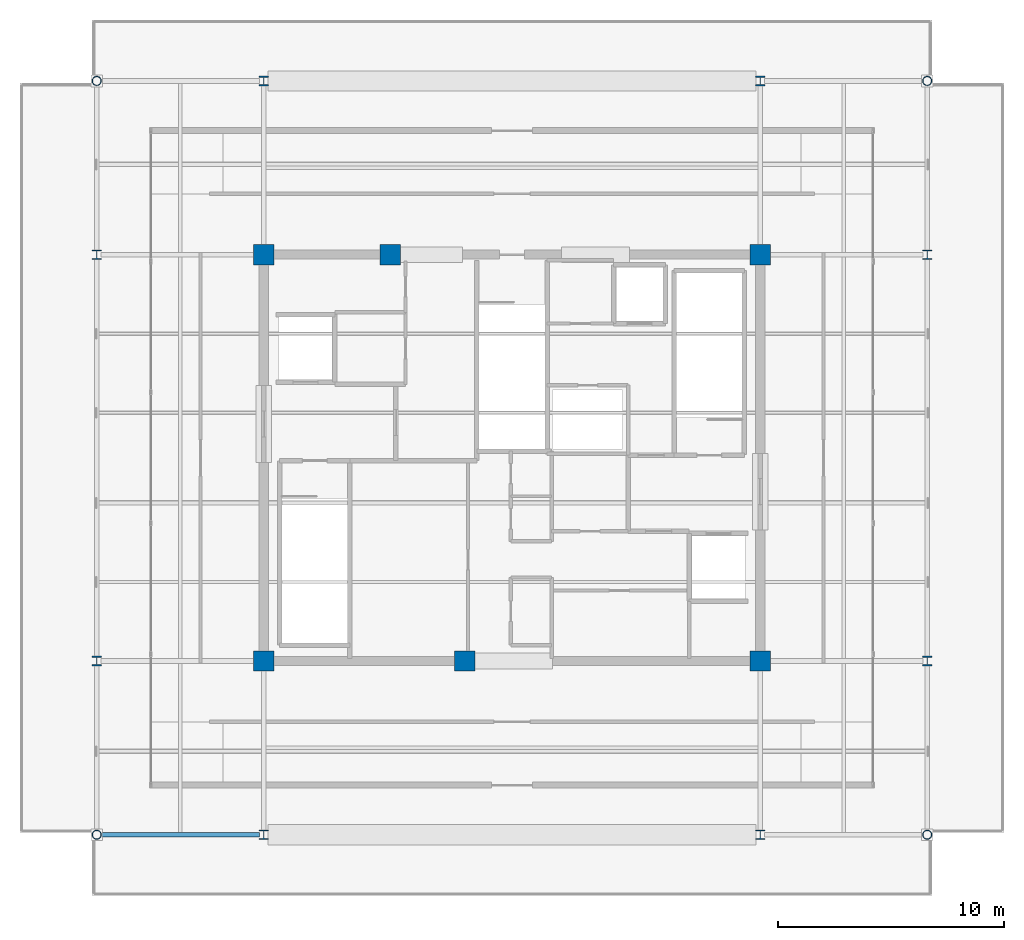
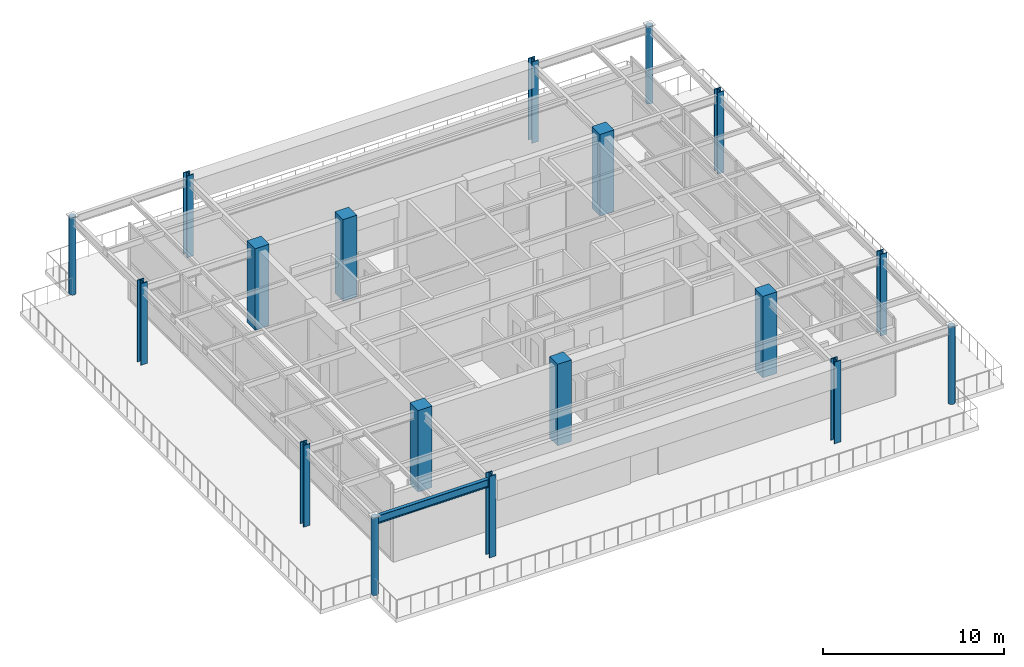
# One storey, part 1 of 16: 18 columns, 1 beam.
"""IFC4 building model written with IfcOpenShell, lengths in metres."""

from ifc_helpers import new_model, si_unit, direction, frame, origin, origin_2d, place, context, subcontext, project, spatial, rectangle, hollow_circle, i_section, extrude, material, material_profile, profile_set, type_object, element, save


model = new_model("IFC4")

# Units and contexts
model_context = context("Model", 3, precision=1e-05, world=origin(), true_north=direction((0.0, 1.0)))
body_context = subcontext(model_context, "Body", "Model", "MODEL_VIEW")
ifc_project = project(units=[si_unit("LENGTHUNIT", "METRE"), si_unit("AREAUNIT", "SQUARE_METRE"), si_unit("VOLUMEUNIT", "CUBIC_METRE"), si_unit("PLANEANGLEUNIT", "RADIAN"), si_unit("MASSUNIT", "GRAM", prefix="KILO")], contexts=[model_context])

# Site, building, storey
site_placement = place(None, origin())
site = spatial("IfcSite", under=ifc_project, at=site_placement, CompositionType="ELEMENT")
building_placement = place(site_placement, origin())
building = spatial("IfcBuilding", under=site, at=building_placement, Name="Kovane Verandah Tower", CompositionType="ELEMENT")
storey_placement = place(building_placement, frame((0.0, 0.0, 354.300048828125)))
storey = spatial("IfcBuildingStorey", under=building, at=storey_placement, Name="L82", CompositionType="ELEMENT", Elevation=354.300048828125)

# Columns
ifc_material_1 = material(Name="Steel S355", Category="steel")
ifc_material_profile_1 = material_profile(ifc_material_1, hollow_circle(Radius=0.203125, WallThickness=0.01611328125, at=origin_2d()), Name="CHS406.4x16")
ifc_profile_set_1 = profile_set([ifc_material_profile_1], Name="Steel S355")
column_type_1 = type_object("IfcColumnType", Name="COL-CHS406", PredefinedType="COLUMN", material=ifc_profile_set_1)
for number, where, z_axis, x_axis, name in (
    (1, (21.60009765625, 10.800048828125, 0.0), (0.0, 0.0, 1.0), (1.0, 0.0, 0.0), "L82 Tower Mega-Column MC-SW"),
    (2, (58.39990234375, 10.800048828125, 0.0), (0.0, 0.0, 1.0), (1.0, 0.0, 0.0), "L82 Tower Mega-Column MC-SE"),
    (3, (21.60009765625, 44.199951171875, 0.0), (0.0, 0.0, 1.0), (1.0, 0.0, 0.0), "L82 Tower Mega-Column MC-NW"),
    (4, (58.39990234375, 44.199951171875, 0.0), (0.0, 0.0, 1.0), (1.0, 0.0, 0.0), "L82 Tower Mega-Column MC-NE"),
):
    element("IfcColumn", number, at=place(storey_placement, frame(where, z_axis=z_axis, x_axis=x_axis)), inside=storey, type_object=column_type_1, Name=name, PredefinedType="COLUMN", context=body_context, shape_type="SweptSolid", body=[
        extrude(hollow_circle(Radius=0.203125, WallThickness=0.01611328125, at=origin_2d()), origin(), (0.0, 0.0, 1.0), 5.239990234375),
    ])
ifc_material_2 = material(Name="Steel S460", Category="steel")
ifc_material_profile_2 = material_profile(ifc_material_2, i_section(OverallWidth=0.412109375, OverallDepth=0.4365234375, WebThickness=0.035888671875, FlangeThickness=0.05810546875, FilletRadius=0.01513671875, at=origin_2d()), Name="UC356x406x467")
ifc_profile_set_2 = profile_set([ifc_material_profile_2], Name="Steel S460")
column_type_2 = type_object("IfcColumnType", Name="COL-UC467", PredefinedType="COLUMN", material=ifc_profile_set_2)
for number, where, z_axis, x_axis, name in (
    (5, (29.0, 10.800048828125, 0.0), (0.0, 0.0, 1.0), (1.0, 0.0, 0.0), "L82 Tower Mega-Column MC-S1"),
    (6, (51.0, 10.800048828125, 0.0), (0.0, 0.0, 1.0), (1.0, 0.0, 0.0), "L82 Tower Mega-Column MC-S2"),
    (7, (29.0, 44.199951171875, 0.0), (0.0, 0.0, 1.0), (1.0, 0.0, 0.0), "L82 Tower Mega-Column MC-N1"),
    (8, (51.0, 44.199951171875, 0.0), (0.0, 0.0, 1.0), (1.0, 0.0, 0.0), "L82 Tower Mega-Column MC-N2"),
    (9, (21.60009765625, 18.5, 0.0), (0.0, 0.0, 1.0), (1.0, 0.0, 0.0), "L82 Tower Mega-Column MC-W1"),
    (10, (21.60009765625, 36.5, 0.0), (0.0, 0.0, 1.0), (1.0, 0.0, 0.0), "L82 Tower Mega-Column MC-W2"),
    (11, (58.39990234375, 18.5, 0.0), (0.0, 0.0, 1.0), (1.0, 0.0, 0.0), "L82 Tower Mega-Column MC-E1"),
    (12, (58.39990234375, 36.5, 0.0), (0.0, 0.0, 1.0), (1.0, 0.0, 0.0), "L82 Tower Mega-Column MC-E2"),
):
    element("IfcColumn", number, at=place(storey_placement, frame(where, z_axis=z_axis, x_axis=x_axis)), inside=storey, type_object=column_type_2, Name=name, PredefinedType="COLUMN", context=body_context, shape_type="SweptSolid", body=[
        extrude(i_section(OverallWidth=0.412109375, OverallDepth=0.4365234375, WebThickness=0.035888671875, FlangeThickness=0.05810546875, FilletRadius=0.01513671875, at=origin_2d()), origin(), (0.0, 0.0, 1.0), 5.5),
    ])
ifc_material_3 = material(Name="Concrete C60/75", Category="concrete")
ifc_material_profile_3 = material_profile(ifc_material_3, rectangle(XDim=0.89990234375, YDim=0.89990234375, at=origin_2d()), Name="RC900x900")
ifc_profile_set_3 = profile_set([ifc_material_profile_3], Name="Concrete C60/75")
column_type_3 = type_object("IfcColumnType", Name="PIL-RC900", PredefinedType="PILASTER", material=ifc_profile_set_3)
for number, where, z_axis, x_axis, name in (
    (13, (29.0, 18.5, 0.0), (0.0, 0.0, 1.0), (1.0, 0.0, 0.0), "L82 Core Pilaster CP-SW"),
    (14, (51.0, 18.5, 0.0), (0.0, 0.0, 1.0), (1.0, 0.0, 0.0), "L82 Core Pilaster CP-SE"),
    (15, (29.0, 36.5, 0.0), (0.0, 0.0, 1.0), (1.0, 0.0, 0.0), "L82 Core Pilaster CP-NW"),
    (16, (51.0, 36.5, 0.0), (0.0, 0.0, 1.0), (1.0, 0.0, 0.0), "L82 Core Pilaster CP-NE"),
    (17, (37.89990234375, 18.5, 0.0), (0.0, 0.0, 1.0), (1.0, 0.0, 0.0), "L82 Core Pilaster CP-S"),
    (18, (34.60009765625, 36.5, 0.0), (0.0, 0.0, 1.0), (1.0, 0.0, 0.0), "L82 Core Pilaster CP-N"),
):
    element("IfcColumn", number, at=place(storey_placement, frame(where, z_axis=z_axis, x_axis=x_axis)), inside=storey, type_object=column_type_3, Name=name, PredefinedType="PILASTER", context=body_context, shape_type="SweptSolid", body=[
        extrude(rectangle(XDim=0.89990234375, YDim=0.89990234375, at=origin_2d()), origin(), (0.0, 0.0, 1.0), 5.5),
    ])

# Beam
ifc_material_profile_4 = material_profile(ifc_material_1, i_section(OverallWidth=0.2119140625, OverallDepth=0.54443359375, WebThickness=0.0126953125, FlangeThickness=0.021240234375, FilletRadius=0.0126953125, at=origin_2d()), Name="UB533x210x122")
ifc_profile_set_4 = profile_set([ifc_material_profile_4], Name="Steel S355")
beam_type = type_object("IfcBeamType", Name="BM-UB533x122", PredefinedType="BEAM", material=ifc_profile_set_4)
beam_placement = place(storey_placement, frame((21.780029296875, 10.800048828125, 4.9677734375), z_axis=(1.0, 0.0, 0.0), x_axis=(0.0, 1.0, 0.0)))
element("IfcBeam", 19, at=beam_placement, inside=storey, type_object=beam_type, Name="L82 Primary Tower Girder G-RS1", PredefinedType="BEAM", context=body_context, shape_type="SweptSolid", body=[
    extrude(i_section(OverallWidth=0.2119140625, OverallDepth=0.54443359375, WebThickness=0.0126953125, FlangeThickness=0.021240234375, FilletRadius=0.0126953125, at=origin_2d()), origin(), (0.0, 0.0, 1.0), 7.0400390625),
])

save(model, "model.ifc")
